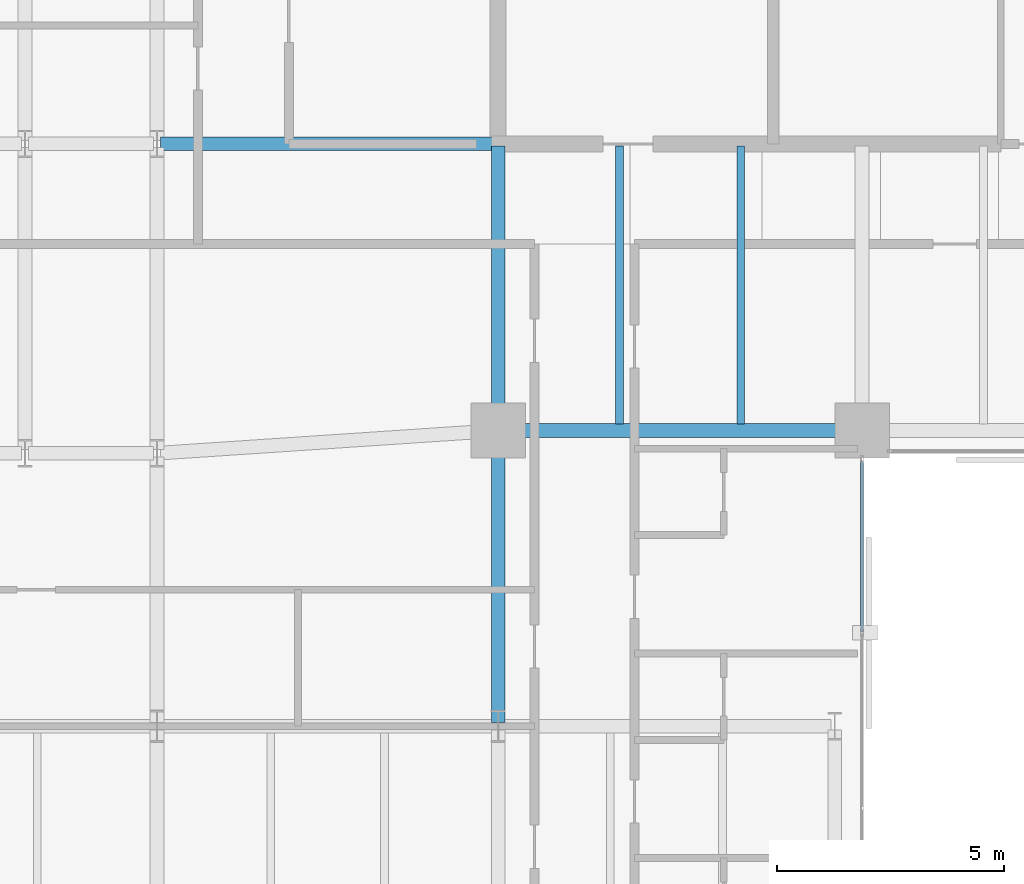
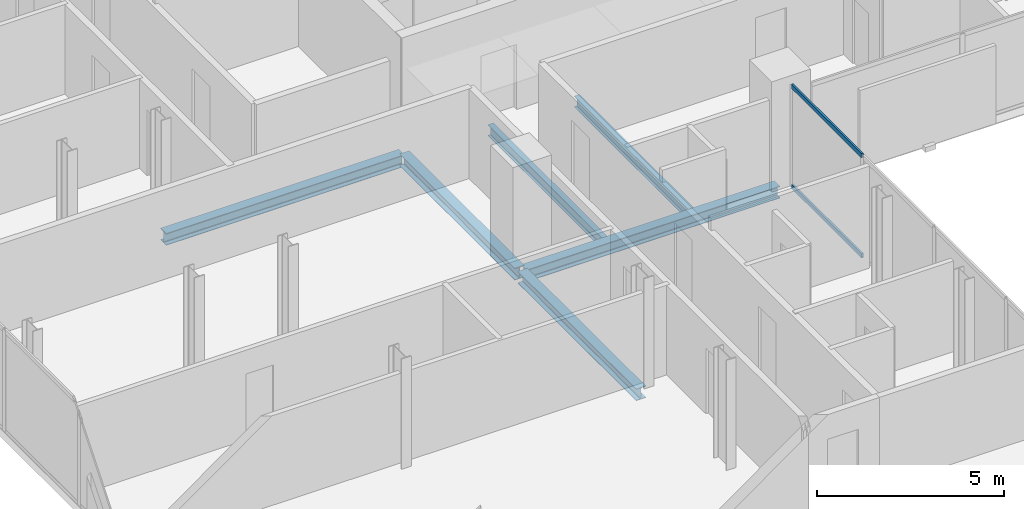
# One storey, part 12 of 32: 6 beams, 2 members, 1 element without a shape of its own.
"""IFC4 building model written with IfcOpenShell, lengths in metres."""

from ifc_helpers import new_model, si_unit, direction, frame, origin, origin_2d, place, context, subcontext, project, spatial, hollow_rectangle, i_section, extrude, material, layer, layer_set, material_profile, profile_set, type_object, element, aggregate, save


model = new_model("IFC4")

# Units and contexts
model_context = context("Model", 3, precision=1e-05, world=origin(), true_north=direction((0.0, 1.0)))
body_context = subcontext(model_context, "Body", "Model", "MODEL_VIEW")
ifc_project = project(units=[si_unit("LENGTHUNIT", "METRE"), si_unit("AREAUNIT", "SQUARE_METRE"), si_unit("VOLUMEUNIT", "CUBIC_METRE"), si_unit("PLANEANGLEUNIT", "RADIAN"), si_unit("MASSUNIT", "GRAM", prefix="KILO")], contexts=[model_context])

# Site, building, storey
site_placement = place(None, origin())
site = spatial("IfcSite", under=ifc_project, at=site_placement, CompositionType="ELEMENT")
building_placement = place(site_placement, origin())
building = spatial("IfcBuilding", under=site, at=building_placement, Name="Catumbela Crestline Tower", CompositionType="ELEMENT")
storey_placement = place(building_placement, frame((0.0, 0.0, 136.8)))
storey = spatial("IfcBuildingStorey", under=building, at=storey_placement, Name="L35", CompositionType="ELEMENT", Elevation=136.8)

# Beams
ifc_material_1 = material(Name="Structural steel S355J2", Category="steel")
ifc_material_profile_1 = material_profile(ifc_material_1, i_section(OverallWidth=0.3, OverallDepth=0.39, WebThickness=0.011, FlangeThickness=0.019, FilletRadius=0.027, at=origin_2d()), Name="HEA 400")
ifc_profile_set_1 = profile_set([ifc_material_profile_1], Name="Structural steel S355J2")
beam_type_1 = type_object("IfcBeamType", Name="BG-HEA400", PredefinedType="BEAM", material=ifc_profile_set_1)
beam_1_placement = place(storey_placement, frame((16.08, 24.5, -0.455), z_axis=(1.0, 0.0, 0.0), x_axis=(0.0, 1.0, 0.0)))
element("IfcBeam", 1, at=beam_1_placement, inside=storey, type_object=beam_type_1, Name="L35 Beam BM-L35-S04", PredefinedType="BEAM", context=body_context, shape_type="SweptSolid", body=[
    extrude(i_section(OverallWidth=0.3, OverallDepth=0.39, WebThickness=0.011, FlangeThickness=0.019, FilletRadius=0.027, at=origin_2d()), origin(), (0.0, 0.0, 1.0), 7.84),
])
beam_2_placement = place(storey_placement, frame((8.58, 30.8, -0.455), z_axis=(1.0, 0.0, 0.0), x_axis=(0.0, 1.0, 0.0)))
element("IfcBeam", 2, at=beam_2_placement, inside=storey, type_object=beam_type_1, Name="L35 Beam BM-L35-M09", PredefinedType="BEAM", context=body_context, shape_type="SweptSolid", body=[
    extrude(i_section(OverallWidth=0.3, OverallDepth=0.39, WebThickness=0.011, FlangeThickness=0.019, FilletRadius=0.027, at=origin_2d()), origin(), (0.0, 0.0, 1.0), 7.37),
])
beam_3_placement = place(storey_placement, frame((16.0, 24.58, -0.455), z_axis=(0.0, 1.0, 0.0), x_axis=(-1.0, 0.0, 0.0)))
element("IfcBeam", 3, at=beam_3_placement, inside=storey, type_object=beam_type_1, Name="L35 Beam BM-L35-SNS28", PredefinedType="BEAM", context=body_context, shape_type="SweptSolid", body=[
    extrude(i_section(OverallWidth=0.3, OverallDepth=0.39, WebThickness=0.011, FlangeThickness=0.019, FilletRadius=0.027, at=origin_2d()), origin(), (0.0, 0.0, 1.0), 6.17),
])
beam_4_placement = place(storey_placement, frame((16.0, 18.08, -0.455), z_axis=(0.0, 1.0, 0.0), x_axis=(-1.0, 0.0, 0.0)))
element("IfcBeam", 4, at=beam_4_placement, inside=storey, type_object=beam_type_1, Name="L35 Beam BM-L35-WNS60", PredefinedType="BEAM", context=body_context, shape_type="SweptSolid", body=[
    extrude(i_section(OverallWidth=0.3, OverallDepth=0.39, WebThickness=0.011, FlangeThickness=0.019, FilletRadius=0.027, at=origin_2d()), origin(), (0.0, 0.0, 1.0), 6.34),
])
ifc_material_profile_2 = material_profile(ifc_material_1, i_section(OverallWidth=0.17, OverallDepth=0.36, WebThickness=0.008, FlangeThickness=0.0127, FilletRadius=0.018, at=origin_2d()), Name="IPE 360")
ifc_profile_set_2 = profile_set([ifc_material_profile_2], Name="Structural steel S355J2")
beam_type_2 = type_object("IfcBeamType", Name="BJ-IPE360", PredefinedType="JOIST", material=ifc_profile_set_2)
for number, where, z_axis, x_axis, name in (
    (5, (18.667, 24.647, -0.44), (0.0, 1.0, 0.0), (-1.0, 0.0, 0.0), "L35 Joist JS-L35-SP37"),
    (6, (21.333, 24.647, -0.44), (0.0, 1.0, 0.0), (-1.0, 0.0, 0.0), "L35 Joist JS-L35-SP38"),
):
    element("IfcBeam", number, at=place(storey_placement, frame(where, z_axis=z_axis, x_axis=x_axis)), inside=storey, type_object=beam_type_2, Name=name, PredefinedType="JOIST", context=body_context, shape_type="SweptSolid", body=[
        extrude(i_section(OverallWidth=0.17, OverallDepth=0.36, WebThickness=0.008, FlangeThickness=0.0127, FilletRadius=0.018, at=origin_2d()), origin(), (0.0, 0.0, 1.0), 6.103),
    ])

# Curtain wall, members
ifc_material_2 = material(Name="Aluminium alloy AW-6060-T66", Category="aluminium")
ifc_layer = layer(ifc_material_2, 0.18, Name="Aluminium alloy AW-6060-T66")
ifc_layer_set = layer_set([ifc_layer], Name="Aluminium alloy AW-6060-T66")
curtain_wall_type = type_object("IfcCurtainWallType", Name="CWU-Z2", PredefinedType="USERDEFINED", material=ifc_layer_set)
curtain_wall_placement = place(storey_placement, origin())
curtain_wall = element("IfcCurtainWall", 7, at=curtain_wall_placement, inside=storey, type_object=curtain_wall_type, Name="L35 Unitised Curtain Wall CW-L35-E2S1", ObjectType="UNITISED", PredefinedType="USERDEFINED")
ifc_material_profile_3 = material_profile(ifc_material_2, hollow_rectangle(XDim=0.06, YDim=0.14, WallThickness=0.004, at=origin_2d()), Name="ALU 140x60x4")
ifc_profile_set_3 = profile_set([ifc_material_profile_3], Name="Aluminium alloy AW-6060-T66")
member_type = type_object("IfcMemberType", Name="TRN-140X60", PredefinedType="USERDEFINED", material=ifc_profile_set_3)
member_1_placement = place(storey_placement, frame((24.0, 20.0825, 0.03), z_axis=(0.0, 1.0, 0.0), x_axis=(-1.0, 0.0, 0.0)))
member_1 = element("IfcMember", 8, at=member_1_placement, type_object=member_type, Name="CWU-Z2 transom 4.1", ObjectType="TRANSOM", PredefinedType="USERDEFINED", context=body_context, shape_type="SweptSolid", body=[
    extrude(hollow_rectangle(XDim=0.06, YDim=0.14, WallThickness=0.004, at=origin_2d()), origin(), (0.0, 0.0, 1.0), 3.7525),
])
member_2_placement = place(storey_placement, frame((24.0, 20.0825, 3.3), z_axis=(0.0, 1.0, 0.0), x_axis=(-1.0, 0.0, 0.0)))
member_2 = element("IfcMember", 9, at=member_2_placement, type_object=member_type, Name="CWU-Z2 transom 4.2", ObjectType="TRANSOM", PredefinedType="USERDEFINED", context=body_context, shape_type="SweptSolid", body=[
    extrude(hollow_rectangle(XDim=0.06, YDim=0.14, WallThickness=0.004, at=origin_2d()), origin(), (0.0, 0.0, 1.0), 3.7525),
])
aggregate(curtain_wall, [member_1, member_2])

save(model, "model.ifc")
